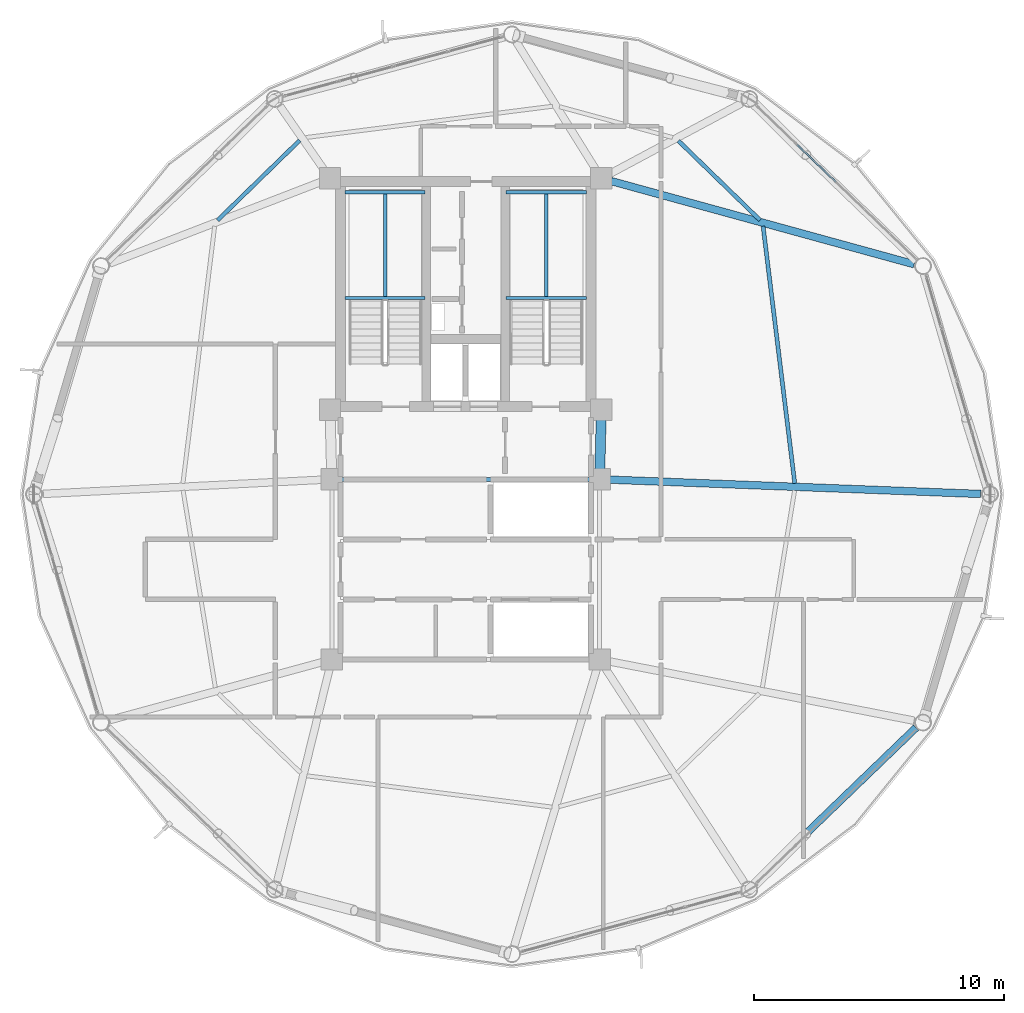
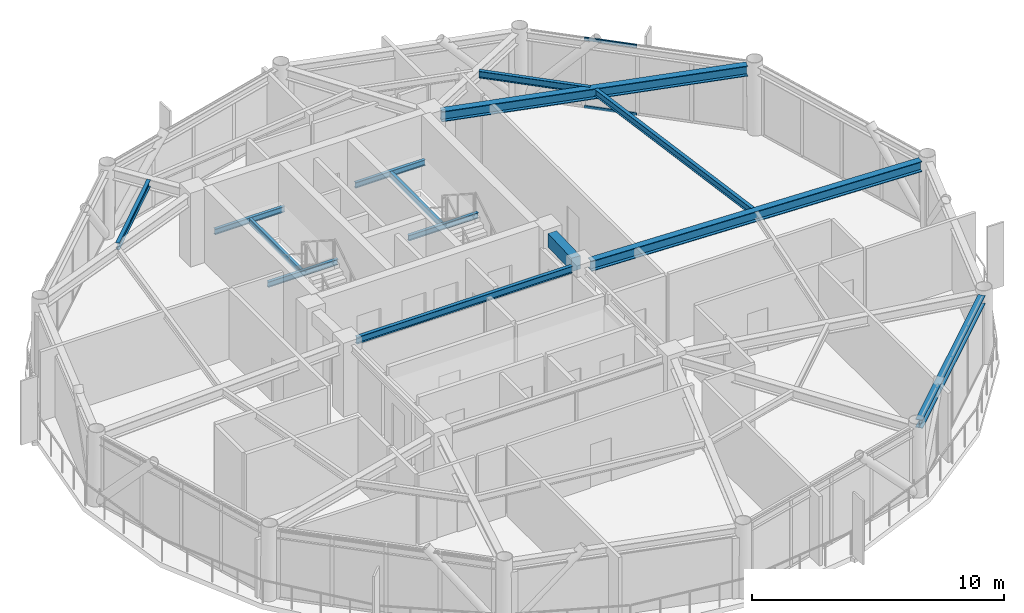
# One storey, part 14 of 28: 14 beams, 2 members, 1 element without a shape of its own.
"""IFC4 building model written with IfcOpenShell, lengths in metres."""

from ifc_helpers import new_model, si_unit, direction, frame, origin, origin_2d, place, context, subcontext, project, spatial, rectangle, hollow_rectangle, i_section, extrude, material, layer, layer_set, material_profile, profile_set, type_object, element, aggregate, save


model = new_model("IFC4")

# Units and contexts
model_context = context("Model", 3, precision=1e-05, world=origin(), true_north=direction((0.0, 1.0)))
body_context = subcontext(model_context, "Body", "Model", "MODEL_VIEW")
ifc_project = project(units=[si_unit("LENGTHUNIT", "METRE"), si_unit("AREAUNIT", "SQUARE_METRE"), si_unit("VOLUMEUNIT", "CUBIC_METRE"), si_unit("PLANEANGLEUNIT", "RADIAN"), si_unit("MASSUNIT", "GRAM", prefix="KILO")], contexts=[model_context])

# Site, building, storey
site_placement = place(None, origin())
site = spatial("IfcSite", under=ifc_project, at=site_placement, CompositionType="ELEMENT")
building_placement = place(site_placement, origin())
building = spatial("IfcBuilding", under=site, at=building_placement, Name="Varnakorn Sky Granary", CompositionType="ELEMENT")
storey_placement = place(building_placement, frame((0.0, 0.0, 214.800048828125)))
storey = spatial("IfcBuildingStorey", under=building, at=storey_placement, Name="L54", CompositionType="ELEMENT", Elevation=214.800048828125)

# Beams
ifc_material_1 = material(Name="Concrete C50/60", Category="concrete")
ifc_material_profile_1 = material_profile(ifc_material_1, rectangle(XDim=0.39990234375, YDim=0.64990234375, at=origin_2d()), Name="RC 400x650")
ifc_profile_set_1 = profile_set([ifc_material_profile_1], Name="Concrete C50/60")
beam_type_1 = type_object("IfcBeamType", Name="BM-LIN-650", PredefinedType="LINTEL", material=ifc_profile_set_1)
beam_1_placement = place(storey_placement, frame((8.409912109375, 2.97509765625, 3.034912109375), z_axis=(-0.025270737467, -0.99968064392, 0.0), x_axis=(0.99968064392, -0.025270737467, 0.0)))
element("IfcBeam", 1, at=beam_1_placement, inside=storey, type_object=beam_type_1, Name="Core Spine Framing Beam 2 L54", PredefinedType="LINTEL", context=body_context, shape_type="SweptSolid", body=[
    extrude(rectangle(XDim=0.39990234375, YDim=0.64990234375, at=origin_2d()), origin(), (0.0, 0.0, 1.0), 1.970947265625),
])
ifc_material_2 = material(Name="Steel S355JR", Category="steel")
ifc_material_profile_2 = material_profile(ifc_material_2, i_section(OverallWidth=0.135009765625, OverallDepth=0.27001953125, WebThickness=0.006591796875, FlangeThickness=0.01025390625, at=origin_2d()), Name="IPE 270")
ifc_profile_set_2 = profile_set([ifc_material_profile_2], Name="Steel S355JR")
beam_type_2 = type_object("IfcBeamType", Name="BM-LND-270", PredefinedType="BEAM", material=ifc_profile_set_2)
for number, where, z_axis, x_axis, name in (
    (2, (-1.820068359375, 7.840087890625, 1.46484375), (1.0, 0.0, 0.0), (0.0, 1.0, 0.0), "Stair ST-1 Landing Trimmer Beam A L54-1"),
    (3, (-1.820068359375, 12.06005859375, 1.46484375), (1.0, 0.0, 0.0), (0.0, 1.0, 0.0), "Stair ST-1 Landing Trimmer Beam B L54-1"),
):
    element("IfcBeam", number, at=place(storey_placement, frame(where, z_axis=z_axis, x_axis=x_axis)), inside=storey, type_object=beam_type_2, Name=name, PredefinedType="BEAM", context=body_context, shape_type="SweptSolid", body=[
        extrude(i_section(OverallWidth=0.135009765625, OverallDepth=0.27001953125, WebThickness=0.006591796875, FlangeThickness=0.01025390625, at=origin_2d()), origin(), (0.0, 0.0, 1.0), 3.199951171875),
    ])
beam_2_placement = place(storey_placement, frame((-0.219970703125, 7.840087890625, 1.46484375), z_axis=(0.0, 1.0, 0.0), x_axis=(-1.0, 0.0, 0.0)))
element("IfcBeam", 4, at=beam_2_placement, inside=storey, type_object=beam_type_2, Name="Stair ST-1 Landing Cross Beam C L54-1", PredefinedType="BEAM", context=body_context, shape_type="SweptSolid", body=[
    extrude(i_section(OverallWidth=0.135009765625, OverallDepth=0.27001953125, WebThickness=0.006591796875, FlangeThickness=0.01025390625, at=origin_2d()), origin(), (0.0, 0.0, 1.0), 4.219970703125),
])
for number, where, z_axis, x_axis, name in (
    (5, (4.6201171875, 7.840087890625, 1.46484375), (1.0, 0.0, 0.0), (0.0, 1.0, 0.0), "Stair ST-2 Landing Trimmer Beam A L54-1"),
    (6, (4.6201171875, 12.06005859375, 1.46484375), (1.0, 0.0, 0.0), (0.0, 1.0, 0.0), "Stair ST-2 Landing Trimmer Beam B L54-1"),
):
    element("IfcBeam", number, at=place(storey_placement, frame(where, z_axis=z_axis, x_axis=x_axis)), inside=storey, type_object=beam_type_2, Name=name, PredefinedType="BEAM", context=body_context, shape_type="SweptSolid", body=[
        extrude(i_section(OverallWidth=0.135009765625, OverallDepth=0.27001953125, WebThickness=0.006591796875, FlangeThickness=0.01025390625, at=origin_2d()), origin(), (0.0, 0.0, 1.0), 3.199951171875),
    ])
beam_3_placement = place(storey_placement, frame((6.219970703125, 7.840087890625, 1.46484375), z_axis=(0.0, 1.0, 0.0), x_axis=(-1.0, 0.0, 0.0)))
element("IfcBeam", 7, at=beam_3_placement, inside=storey, type_object=beam_type_2, Name="Stair ST-2 Landing Cross Beam C L54-1", PredefinedType="BEAM", context=body_context, shape_type="SweptSolid", body=[
    extrude(i_section(OverallWidth=0.135009765625, OverallDepth=0.27001953125, WebThickness=0.006591796875, FlangeThickness=0.01025390625, at=origin_2d()), origin(), (0.0, 0.0, 1.0), 4.219970703125),
])
ifc_material_profile_3 = material_profile(ifc_material_2, i_section(OverallWidth=0.300048828125, OverallDepth=0.5, WebThickness=0.014404296875, FlangeThickness=0.028076171875, at=origin_2d()), Name="HE 500 B")
ifc_profile_set_3 = profile_set([ifc_material_profile_3], Name="Steel S355JR")
beam_type_3 = type_object("IfcBeamType", Name="BM-RAD-Z4", PredefinedType="BEAM", material=ifc_profile_set_3)
beam_4_placement = place(storey_placement, frame((8.754638671875, 0.58447265625, 3.10986328125), z_axis=(0.999255057912, -0.038591828642, 0.0), x_axis=(0.038591828642, 0.999255057912, 0.0)))
element("IfcBeam", 8, at=beam_4_placement, inside=storey, type_object=beam_type_3, Name="Radial Floor Girder RG01 L54", PredefinedType="BEAM", context=body_context, shape_type="SweptSolid", body=[
    extrude(i_section(OverallWidth=0.300048828125, OverallDepth=0.5, WebThickness=0.014404296875, FlangeThickness=0.028076171875, at=origin_2d()), origin(), (0.0, 0.0, 1.0), 14.82861328125),
])
beam_5_placement = place(storey_placement, frame((8.810546875, 12.5126953125, 3.10986328125), z_axis=(0.964291485037, -0.264843221331, 0.0), x_axis=(0.264843221331, 0.964291485037, 0.0)))
element("IfcBeam", 9, at=beam_5_placement, inside=storey, type_object=beam_type_3, Name="Radial Floor Girder RG02 L54", PredefinedType="BEAM", context=body_context, shape_type="SweptSolid", body=[
    extrude(i_section(OverallWidth=0.300048828125, OverallDepth=0.5, WebThickness=0.014404296875, FlangeThickness=0.028076171875, at=origin_2d()), origin(), (0.0, 0.0, 1.0), 12.553466796875),
])
ifc_material_profile_4 = material_profile(ifc_material_2, i_section(OverallWidth=0.159912109375, OverallDepth=0.330078125, WebThickness=0.007568359375, FlangeThickness=0.011474609375, at=origin_2d()), Name="IPE 330")
ifc_profile_set_4 = profile_set([ifc_material_profile_4], Name="Steel S355JR")
beam_type_4 = type_object("IfcBeamType", Name="BM-SEC-Z4", PredefinedType="BEAM", material=ifc_profile_set_4)
beam_6_placement = place(storey_placement, frame((16.146240234375, 0.437255859375, 3.195068359375), z_axis=(-0.122284228975, 0.992495122076, 0.0), x_axis=(-0.992495122076, -0.122284228975, 0.0)))
element("IfcBeam", 10, at=beam_6_placement, inside=storey, type_object=beam_type_4, Name="Secondary Floor Chord Beam MSB01 L54", PredefinedType="BEAM", context=body_context, shape_type="SweptSolid", body=[
    extrude(i_section(OverallWidth=0.159912109375, OverallDepth=0.330078125, WebThickness=0.007568359375, FlangeThickness=0.011474609375, at=origin_2d()), origin(), (0.0, 0.0, 1.0), 10.351806640625),
])
beam_7_placement = place(storey_placement, frame((14.7626953125, 10.947998046875, 3.195068359375), z_axis=(-0.717124554936, 0.696945028469, 0.0), x_axis=(-0.696945028469, -0.717124554936, 0.0)))
element("IfcBeam", 11, at=beam_7_placement, inside=storey, type_object=beam_type_4, Name="Secondary Floor Chord Beam MSB02 L54", PredefinedType="BEAM", context=body_context, shape_type="SweptSolid", body=[
    extrude(i_section(OverallWidth=0.159912109375, OverallDepth=0.330078125, WebThickness=0.007568359375, FlangeThickness=0.011474609375, at=origin_2d()), origin(), (0.0, 0.0, 1.0), 4.549072265625),
])
beam_8_placement = place(storey_placement, frame((-3.636474609375, 14.134033203125, 3.195068359375), z_axis=(-0.716310335008, -0.697781845537, 0.0), x_axis=(0.697781845537, -0.716310335008, 0.0)))
element("IfcBeam", 12, at=beam_8_placement, inside=storey, type_object=beam_type_4, Name="Secondary Floor Chord Beam MSB05 L54", PredefinedType="BEAM", context=body_context, shape_type="SweptSolid", body=[
    extrude(i_section(OverallWidth=0.159912109375, OverallDepth=0.330078125, WebThickness=0.007568359375, FlangeThickness=0.011474609375, at=origin_2d()), origin(), (0.0, 0.0, 1.0), 4.572265625),
])
beam_9_placement = place(storey_placement, frame((-1.945068359375, 0.60009765625, 3.195068359375), z_axis=(1.0, 0.0, 0.0), x_axis=(0.0, 1.0, 0.0)))
element("IfcBeam", 13, at=beam_9_placement, inside=storey, type_object=beam_type_4, Name="Core Spine Framing Beam 5 L54", PredefinedType="BEAM", context=body_context, shape_type="SweptSolid", body=[
    extrude(i_section(OverallWidth=0.159912109375, OverallDepth=0.330078125, WebThickness=0.007568359375, FlangeThickness=0.011474609375, at=origin_2d()), origin(), (0.0, 0.0, 1.0), 9.89013671875),
])
ifc_material_profile_5 = material_profile(ifc_material_2, i_section(OverallWidth=0.300048828125, OverallDepth=0.39990234375, WebThickness=0.013427734375, FlangeThickness=0.02392578125, at=origin_2d()), Name="HE 400 B")
ifc_profile_set_5 = profile_set([ifc_material_profile_5], Name="Steel S355JR")
beam_type_5 = type_object("IfcBeamType", Name="BM-SPD-Z4", PredefinedType="SPANDREL", material=ifc_profile_set_5)
beam_10_placement = place(storey_placement, frame((14.52783203125, -15.551025390625, 3.159912109375), z_axis=(0.720174244008, 0.693793238846, 0.0), x_axis=(-0.693793238846, 0.720174244008, 0.0)))
element("IfcBeam", 14, at=beam_10_placement, inside=storey, type_object=beam_type_5, Name="Perimeter Spandrel Ring Beam RB11 L54", PredefinedType="SPANDREL", context=body_context, shape_type="SweptSolid", body=[
    extrude(i_section(OverallWidth=0.300048828125, OverallDepth=0.39990234375, WebThickness=0.013427734375, FlangeThickness=0.02392578125, at=origin_2d()), origin(), (0.0, 0.0, 1.0), 8.976806640625),
])

# Curtain wall, members
ifc_material_3 = material(Name="Anodised Bronze Aluminium Alloy 6063-T6", Category="aluminium")
ifc_layer = layer(ifc_material_3, 0.169921875, Name="Anodised Bronze Aluminium Alloy 6063-T6")
ifc_layer_set = layer_set([ifc_layer], Name="Anodised Bronze Aluminium Alloy 6063-T6")
curtain_wall_type = type_object("IfcCurtainWallType", Name="CW-LAB-1", PredefinedType="USERDEFINED", material=ifc_layer_set)
curtain_wall_placement = place(storey_placement, origin())
curtain_wall = element("IfcCurtainWall", 15, at=curtain_wall_placement, inside=storey, type_object=curtain_wall_type, Name="Unitised Curtain Wall CW5 CW-L54-B02", ObjectType="CURTAIN WALL", PredefinedType="USERDEFINED")
ifc_material_profile_6 = material_profile(ifc_material_3, hollow_rectangle(XDim=0.070068359375, YDim=0.139892578125, WallThickness=0.00341796875, at=origin_2d()), Name="ALU TRAN 70x140")
ifc_profile_set_6 = profile_set([ifc_material_profile_6], Name="Anodised Bronze Aluminium Alloy 6063-T6")
member_type = type_object("IfcMemberType", Name="CW-LAB-1-TRAN", PredefinedType="USERDEFINED", material=ifc_profile_set_6)
member_1_placement = place(storey_placement, frame((16.23486328125, 13.97119140625, 0.034912109375), z_axis=(0.720723867839, -0.693222263295, 0.0), x_axis=(0.693222263295, 0.720723867839, 0.0)))
member_1 = element("IfcMember", 16, at=member_1_placement, type_object=member_type, Name="CW5 transom 2.1", ObjectType="TRANSOM", PredefinedType="USERDEFINED", context=body_context, shape_type="SweptSolid", body=[
    extrude(hollow_rectangle(XDim=0.070068359375, YDim=0.139892578125, WallThickness=0.00341796875, at=origin_2d()), origin(), (0.0, 0.0, 1.0), 2.148193359375),
])
member_2_placement = place(storey_placement, frame((16.23486328125, 13.97119140625, 3.324951171875), z_axis=(0.720723867839, -0.693222263295, 0.0), x_axis=(0.693222263295, 0.720723867839, 0.0)))
member_2 = element("IfcMember", 17, at=member_2_placement, type_object=member_type, Name="CW5 transom 2.2", ObjectType="TRANSOM", PredefinedType="USERDEFINED", context=body_context, shape_type="SweptSolid", body=[
    extrude(hollow_rectangle(XDim=0.070068359375, YDim=0.139892578125, WallThickness=0.00341796875, at=origin_2d()), origin(), (0.0, 0.0, 1.0), 2.148193359375),
])
aggregate(curtain_wall, [member_1, member_2])

save(model, "model.ifc")
